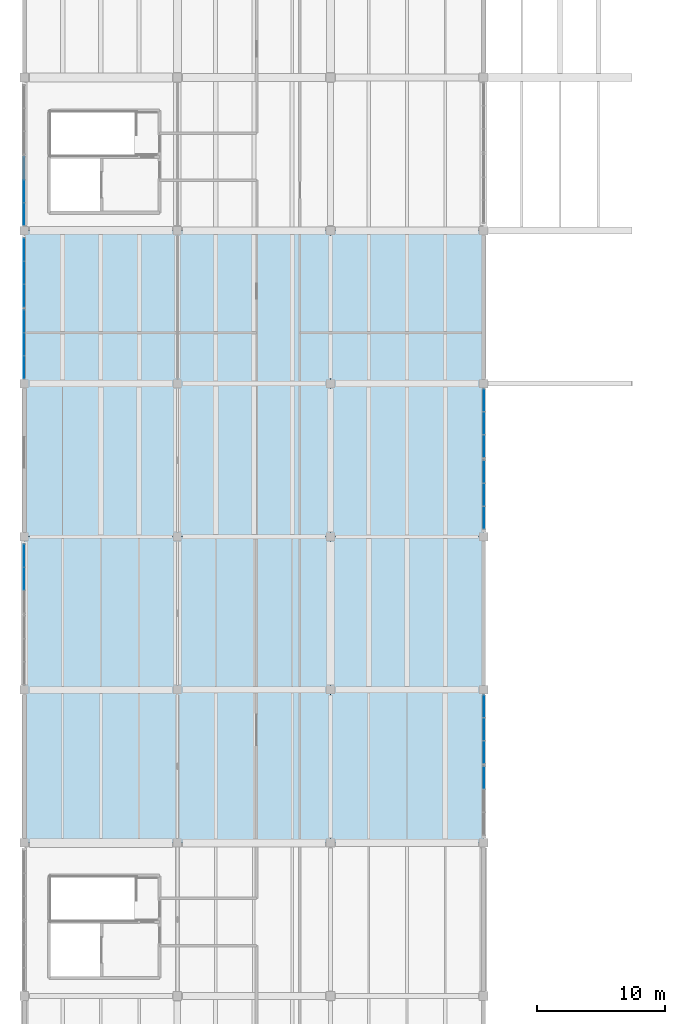
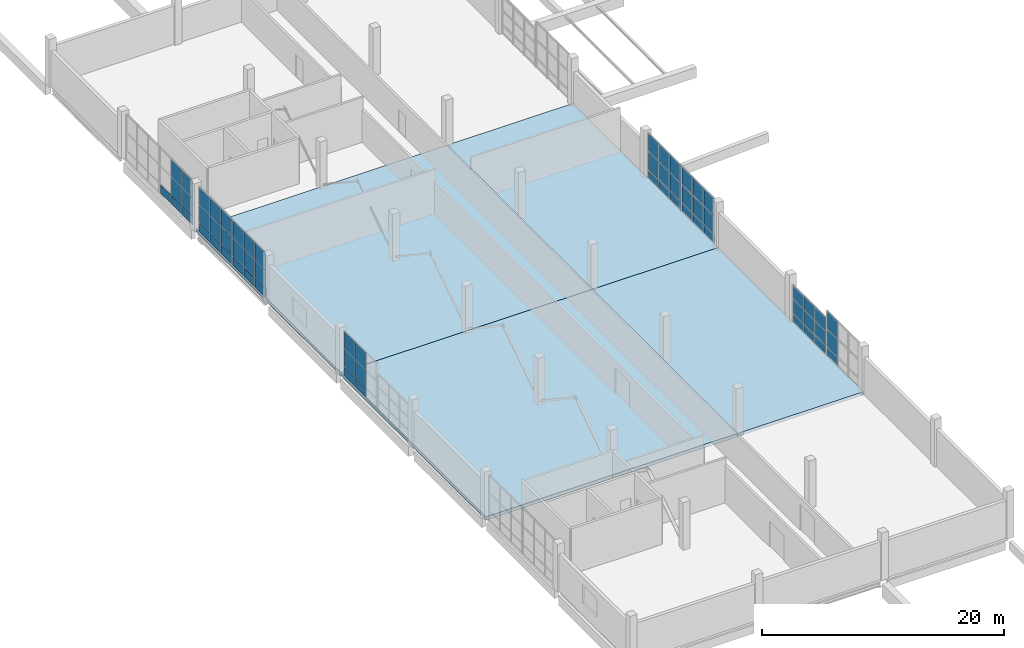
# One storey, part 28 of 49: 61 plates, 4 slabs, 8 elements without a shape of their own.
"""IFC4 building model written with IfcOpenShell, lengths in metres."""

from ifc_helpers import new_model, si_unit, direction, frame, origin, origin_2d, place, context, subcontext, project, spatial, polyline, rectangle, outline, extrude, material, layer, layer_set, type_object, element, aggregate, save


model = new_model("IFC4")

# Units and contexts
model_context = context("Model", 3, precision=1e-05, world=origin(), true_north=direction((0.0, 1.0)))
body_context = subcontext(model_context, "Body", "Model", "MODEL_VIEW")
ifc_project = project(units=[si_unit("LENGTHUNIT", "METRE"), si_unit("AREAUNIT", "SQUARE_METRE"), si_unit("VOLUMEUNIT", "CUBIC_METRE"), si_unit("PLANEANGLEUNIT", "RADIAN"), si_unit("MASSUNIT", "GRAM", prefix="KILO")], contexts=[model_context])

# Site, building, storey
site_placement = place(None, origin())
site = spatial("IfcSite", under=ifc_project, at=site_placement, CompositionType="ELEMENT")
building_placement = place(site_placement, origin())
building = spatial("IfcBuilding", under=site, at=building_placement, Name="Kamomehara Wholesale Market", CompositionType="ELEMENT")
storey_placement = place(building_placement, frame((0.0, 0.0, 11.39990234375)))
storey = spatial("IfcBuildingStorey", under=building, at=storey_placement, Name="L02", CompositionType="ELEMENT", Elevation=11.39990234375)

# Curtain wall, plates
ifc_material_1 = material(Name="Anodised aluminium 6063-T5", Category="aluminium")
curtain_wall_type_1 = type_object("IfcCurtainWallType", Name="CW-UN-10", PredefinedType="NOTDEFINED", material=ifc_material_1)
curtain_wall_1_placement = place(storey_placement, origin())
curtain_wall_1 = element("IfcCurtainWall", 1, at=curtain_wall_1_placement, inside=storey, type_object=curtain_wall_type_1, Name="Unitised curtain wall CW-004", PredefinedType="NOTDEFINED")
ifc_material_2 = material(Name="Solar-control Low-E double glazing", Category="glass")
ifc_layer_1 = layer(ifc_material_2, 0.028076171875)
ifc_layer_set_1 = layer_set([ifc_layer_1], Name="Solar-control Low-E double glazing")
plate_type_1 = type_object("IfcPlateType", Name="CW-PNL-GLZ", PredefinedType="CURTAIN_PANEL", material=ifc_layer_set_1)
plate_1_placement = place(storey_placement, frame((-0.02001953125, 92.699951171875, 0.9794921875), z_axis=(0.0, 0.0, 1.0), x_axis=(0.0, 1.0, 0.0)))
plate_1 = element("IfcPlate", 2, at=plate_1_placement, type_object=plate_type_1, Name="Curtain panel CW-004.1.1", PredefinedType="CURTAIN_PANEL", context=body_context, shape_type="SweptSolid", body=[
    extrude(rectangle(XDim=1.719970703125, YDim=0.028076171875, at=origin_2d()), origin(), (0.0, 0.0, 1.0), 1.764892578125),
])
plate_2_placement = place(storey_placement, frame((-0.02001953125, 92.699951171875, 2.8056640625), z_axis=(0.0, 0.0, 1.0), x_axis=(0.0, 1.0, 0.0)))
plate_2 = element("IfcPlate", 3, at=plate_2_placement, type_object=plate_type_1, Name="Curtain panel CW-004.1.2", PredefinedType="CURTAIN_PANEL", context=body_context, shape_type="SweptSolid", body=[
    extrude(rectangle(XDim=1.719970703125, YDim=0.028076171875, at=origin_2d()), origin(), (0.0, 0.0, 1.0), 1.72509765625),
])
plate_3_placement = place(storey_placement, frame((-0.02001953125, 94.5, 0.9794921875), z_axis=(0.0, 0.0, 1.0), x_axis=(0.0, 1.0, 0.0)))
plate_3 = element("IfcPlate", 4, at=plate_3_placement, type_object=plate_type_1, Name="Curtain panel CW-004.2.1", PredefinedType="CURTAIN_PANEL", context=body_context, shape_type="SweptSolid", body=[
    extrude(rectangle(XDim=1.719970703125, YDim=0.028076171875, at=origin_2d()), origin(), (0.0, 0.0, 1.0), 1.764892578125),
])
plate_4_placement = place(storey_placement, frame((-0.02001953125, 94.5, 2.8056640625), z_axis=(0.0, 0.0, 1.0), x_axis=(0.0, 1.0, 0.0)))
plate_4 = element("IfcPlate", 5, at=plate_4_placement, type_object=plate_type_1, Name="Curtain panel CW-004.2.2", PredefinedType="CURTAIN_PANEL", context=body_context, shape_type="SweptSolid", body=[
    extrude(rectangle(XDim=1.719970703125, YDim=0.028076171875, at=origin_2d()), origin(), (0.0, 0.0, 1.0), 1.72509765625),
])

curtain_wall_2_placement = place(storey_placement, origin())
curtain_wall_2 = element("IfcCurtainWall", 6, at=curtain_wall_2_placement, inside=storey, type_object=curtain_wall_type_1, Name="Unitised curtain wall CW-005", PredefinedType="NOTDEFINED")
plate_5_placement = place(storey_placement, frame((-0.02001953125, 109.300048828125, 0.9794921875), z_axis=(0.0, 0.0, 1.0), x_axis=(0.0, 1.0, 0.0)))
plate_5 = element("IfcPlate", 7, at=plate_5_placement, type_object=plate_type_1, Name="Curtain panel CW-005.0.1", PredefinedType="CURTAIN_PANEL", context=body_context, shape_type="SweptSolid", body=[
    extrude(rectangle(XDim=1.719970703125, YDim=0.028076171875, at=origin_2d()), origin(), (0.0, 0.0, 1.0), 1.764892578125),
])
plate_6_placement = place(storey_placement, frame((-0.02001953125, 109.300048828125, 2.8056640625), z_axis=(0.0, 0.0, 1.0), x_axis=(0.0, 1.0, 0.0)))
plate_6 = element("IfcPlate", 8, at=plate_6_placement, type_object=plate_type_1, Name="Curtain panel CW-005.0.2", PredefinedType="CURTAIN_PANEL", context=body_context, shape_type="SweptSolid", body=[
    extrude(rectangle(XDim=1.719970703125, YDim=0.028076171875, at=origin_2d()), origin(), (0.0, 0.0, 1.0), 1.72509765625),
])
plate_7_placement = place(storey_placement, frame((-0.02001953125, 111.10009765625, 0.9794921875), z_axis=(0.0, 0.0, 1.0), x_axis=(0.0, 1.0, 0.0)))
plate_7 = element("IfcPlate", 9, at=plate_7_placement, type_object=plate_type_1, Name="Curtain panel CW-005.1.1", PredefinedType="CURTAIN_PANEL", context=body_context, shape_type="SweptSolid", body=[
    extrude(rectangle(XDim=1.719970703125, YDim=0.028076171875, at=origin_2d()), origin(), (0.0, 0.0, 1.0), 1.764892578125),
])
plate_8_placement = place(storey_placement, frame((-0.02001953125, 111.10009765625, 2.8056640625), z_axis=(0.0, 0.0, 1.0), x_axis=(0.0, 1.0, 0.0)))
plate_8 = element("IfcPlate", 10, at=plate_8_placement, type_object=plate_type_1, Name="Curtain panel CW-005.1.2", PredefinedType="CURTAIN_PANEL", context=body_context, shape_type="SweptSolid", body=[
    extrude(rectangle(XDim=1.719970703125, YDim=0.028076171875, at=origin_2d()), origin(), (0.0, 0.0, 1.0), 1.72509765625),
])
plate_9_placement = place(storey_placement, frame((-0.02001953125, 112.89990234375, 0.9794921875), z_axis=(0.0, 0.0, 1.0), x_axis=(0.0, 1.0, 0.0)))
plate_9 = element("IfcPlate", 11, at=plate_9_placement, type_object=plate_type_1, Name="Curtain panel CW-005.2.1", PredefinedType="CURTAIN_PANEL", context=body_context, shape_type="SweptSolid", body=[
    extrude(rectangle(XDim=1.719970703125, YDim=0.028076171875, at=origin_2d()), origin(), (0.0, 0.0, 1.0), 1.764892578125),
])
plate_10_placement = place(storey_placement, frame((-0.02001953125, 112.89990234375, 2.8056640625), z_axis=(0.0, 0.0, 1.0), x_axis=(0.0, 1.0, 0.0)))
plate_10 = element("IfcPlate", 12, at=plate_10_placement, type_object=plate_type_1, Name="Curtain panel CW-005.2.2", PredefinedType="CURTAIN_PANEL", context=body_context, shape_type="SweptSolid", body=[
    extrude(rectangle(XDim=1.719970703125, YDim=0.028076171875, at=origin_2d()), origin(), (0.0, 0.0, 1.0), 1.72509765625),
])

curtain_wall_3_placement = place(storey_placement, origin())
curtain_wall_3 = element("IfcCurtainWall", 13, at=curtain_wall_3_placement, inside=storey, type_object=curtain_wall_type_1, Name="Unitised curtain wall CW-006", PredefinedType="NOTDEFINED")
plate_11_placement = place(storey_placement, frame((-0.02001953125, 114.89990234375, 0.9794921875), z_axis=(0.0, 0.0, 1.0), x_axis=(0.0, 1.0, 0.0)))
plate_11 = element("IfcPlate", 14, at=plate_11_placement, type_object=plate_type_1, Name="Curtain panel CW-006.0.1", PredefinedType="CURTAIN_PANEL", context=body_context, shape_type="SweptSolid", body=[
    extrude(rectangle(XDim=1.719970703125, YDim=0.028076171875, at=origin_2d()), origin(), (0.0, 0.0, 1.0), 1.764892578125),
])
plate_12_placement = place(storey_placement, frame((-0.02001953125, 114.89990234375, 2.8056640625), z_axis=(0.0, 0.0, 1.0), x_axis=(0.0, 1.0, 0.0)))
plate_12 = element("IfcPlate", 15, at=plate_12_placement, type_object=plate_type_1, Name="Curtain panel CW-006.0.2", PredefinedType="CURTAIN_PANEL", context=body_context, shape_type="SweptSolid", body=[
    extrude(rectangle(XDim=1.719970703125, YDim=0.028076171875, at=origin_2d()), origin(), (0.0, 0.0, 1.0), 1.72509765625),
])
plate_13_placement = place(storey_placement, frame((-0.02001953125, 116.699951171875, 0.9794921875), z_axis=(0.0, 0.0, 1.0), x_axis=(0.0, 1.0, 0.0)))
plate_13 = element("IfcPlate", 16, at=plate_13_placement, type_object=plate_type_1, Name="Curtain panel CW-006.1.1", PredefinedType="CURTAIN_PANEL", context=body_context, shape_type="SweptSolid", body=[
    extrude(rectangle(XDim=1.719970703125, YDim=0.028076171875, at=origin_2d()), origin(), (0.0, 0.0, 1.0), 1.764892578125),
])
plate_14_placement = place(storey_placement, frame((-0.02001953125, 116.699951171875, 2.8056640625), z_axis=(0.0, 0.0, 1.0), x_axis=(0.0, 1.0, 0.0)))
plate_14 = element("IfcPlate", 17, at=plate_14_placement, type_object=plate_type_1, Name="Curtain panel CW-006.1.2", PredefinedType="CURTAIN_PANEL", context=body_context, shape_type="SweptSolid", body=[
    extrude(rectangle(XDim=1.719970703125, YDim=0.028076171875, at=origin_2d()), origin(), (0.0, 0.0, 1.0), 1.72509765625),
])
plate_15_placement = place(storey_placement, frame((-0.02001953125, 118.5, 0.9794921875), z_axis=(0.0, 0.0, 1.0), x_axis=(0.0, 1.0, 0.0)))
plate_15 = element("IfcPlate", 18, at=plate_15_placement, type_object=plate_type_1, Name="Curtain panel CW-006.2.1", PredefinedType="CURTAIN_PANEL", context=body_context, shape_type="SweptSolid", body=[
    extrude(rectangle(XDim=1.719970703125, YDim=0.028076171875, at=origin_2d()), origin(), (0.0, 0.0, 1.0), 1.764892578125),
])
plate_16_placement = place(storey_placement, frame((-0.02001953125, 118.5, 2.8056640625), z_axis=(0.0, 0.0, 1.0), x_axis=(0.0, 1.0, 0.0)))
plate_16 = element("IfcPlate", 19, at=plate_16_placement, type_object=plate_type_1, Name="Curtain panel CW-006.2.2", PredefinedType="CURTAIN_PANEL", context=body_context, shape_type="SweptSolid", body=[
    extrude(rectangle(XDim=1.719970703125, YDim=0.028076171875, at=origin_2d()), origin(), (0.0, 0.0, 1.0), 1.72509765625),
])

curtain_wall_4_placement = place(storey_placement, origin())
curtain_wall_4 = element("IfcCurtainWall", 20, at=curtain_wall_4_placement, inside=storey, type_object=curtain_wall_type_1, Name="Unitised curtain wall CW-007", PredefinedType="NOTDEFINED")
plate_17_placement = place(storey_placement, frame((-0.02001953125, 121.300048828125, 0.9794921875), z_axis=(0.0, 0.0, 1.0), x_axis=(0.0, 1.0, 0.0)))
plate_17 = element("IfcPlate", 21, at=plate_17_placement, type_object=plate_type_1, Name="Curtain panel CW-007.0.1", PredefinedType="CURTAIN_PANEL", context=body_context, shape_type="SweptSolid", body=[
    extrude(rectangle(XDim=1.719970703125, YDim=0.028076171875, at=origin_2d()), origin(), (0.0, 0.0, 1.0), 1.764892578125),
])
plate_18_placement = place(storey_placement, frame((-0.02001953125, 121.300048828125, 2.8056640625), z_axis=(0.0, 0.0, 1.0), x_axis=(0.0, 1.0, 0.0)))
plate_18 = element("IfcPlate", 22, at=plate_18_placement, type_object=plate_type_1, Name="Curtain panel CW-007.0.2", PredefinedType="CURTAIN_PANEL", context=body_context, shape_type="SweptSolid", body=[
    extrude(rectangle(XDim=1.719970703125, YDim=0.028076171875, at=origin_2d()), origin(), (0.0, 0.0, 1.0), 1.72509765625),
])
plate_19_placement = place(storey_placement, frame((-0.02001953125, 123.10009765625, 0.9794921875), z_axis=(0.0, 0.0, 1.0), x_axis=(0.0, 1.0, 0.0)))
plate_19 = element("IfcPlate", 23, at=plate_19_placement, type_object=plate_type_1, Name="Curtain panel CW-007.1.1", PredefinedType="CURTAIN_PANEL", context=body_context, shape_type="SweptSolid", body=[
    extrude(rectangle(XDim=1.719970703125, YDim=0.028076171875, at=origin_2d()), origin(), (0.0, 0.0, 1.0), 1.764892578125),
])
plate_20_placement = place(storey_placement, frame((-0.02001953125, 123.10009765625, 2.8056640625), z_axis=(0.0, 0.0, 1.0), x_axis=(0.0, 1.0, 0.0)))
plate_20 = element("IfcPlate", 24, at=plate_20_placement, type_object=plate_type_1, Name="Curtain panel CW-007.1.2", PredefinedType="CURTAIN_PANEL", context=body_context, shape_type="SweptSolid", body=[
    extrude(rectangle(XDim=1.719970703125, YDim=0.028076171875, at=origin_2d()), origin(), (0.0, 0.0, 1.0), 1.72509765625),
])

ifc_material_3 = material(Name="Anodised aluminium 6063-T5", Category="aluminium")
curtain_wall_type_2 = type_object("IfcCurtainWallType", Name="CW-UN-07", PredefinedType="NOTDEFINED", material=ifc_material_3)
curtain_wall_5_placement = place(storey_placement, origin())
curtain_wall_5 = element("IfcCurtainWall", 25, at=curtain_wall_5_placement, inside=storey, type_object=curtain_wall_type_2, Name="Unitised curtain wall CW-009", PredefinedType="NOTDEFINED")
plate_21_placement = place(storey_placement, frame((36.02001953125, 82.699951171875, 0.93017578125), z_axis=(0.0, 0.0, 1.0), x_axis=(0.0, -1.0, 0.0)))
plate_21 = element("IfcPlate", 26, at=plate_21_placement, type_object=plate_type_1, Name="Curtain panel CW-009.0.1", PredefinedType="CURTAIN_PANEL", context=body_context, shape_type="SweptSolid", body=[
    extrude(rectangle(XDim=1.719970703125, YDim=0.028076171875, at=origin_2d()), origin(), (0.0, 0.0, 1.0), 1.3798828125),
])
plate_22_placement = place(storey_placement, frame((36.02001953125, 82.699951171875, 2.3701171875), z_axis=(0.0, 0.0, 1.0), x_axis=(0.0, -1.0, 0.0)))
plate_22 = element("IfcPlate", 27, at=plate_22_placement, type_object=plate_type_1, Name="Curtain panel CW-009.0.2", PredefinedType="CURTAIN_PANEL", context=body_context, shape_type="SweptSolid", body=[
    extrude(rectangle(XDim=1.719970703125, YDim=0.028076171875, at=origin_2d()), origin(), (0.0, 0.0, 1.0), 1.340087890625),
])
plate_23_placement = place(storey_placement, frame((36.02001953125, 80.89990234375, 0.93017578125), z_axis=(0.0, 0.0, 1.0), x_axis=(0.0, -1.0, 0.0)))
plate_23 = element("IfcPlate", 28, at=plate_23_placement, type_object=plate_type_1, Name="Curtain panel CW-009.1.1", PredefinedType="CURTAIN_PANEL", context=body_context, shape_type="SweptSolid", body=[
    extrude(rectangle(XDim=1.719970703125, YDim=0.028076171875, at=origin_2d()), origin(), (0.0, 0.0, 1.0), 1.3798828125),
])
plate_24_placement = place(storey_placement, frame((36.02001953125, 80.89990234375, 2.3701171875), z_axis=(0.0, 0.0, 1.0), x_axis=(0.0, -1.0, 0.0)))
plate_24 = element("IfcPlate", 29, at=plate_24_placement, type_object=plate_type_1, Name="Curtain panel CW-009.1.2", PredefinedType="CURTAIN_PANEL", context=body_context, shape_type="SweptSolid", body=[
    extrude(rectangle(XDim=1.719970703125, YDim=0.028076171875, at=origin_2d()), origin(), (0.0, 0.0, 1.0), 1.340087890625),
])
plate_25_placement = place(storey_placement, frame((36.02001953125, 79.10009765625, 0.93017578125), z_axis=(0.0, 0.0, 1.0), x_axis=(0.0, -1.0, 0.0)))
plate_25 = element("IfcPlate", 30, at=plate_25_placement, type_object=plate_type_1, Name="Curtain panel CW-009.2.1", PredefinedType="CURTAIN_PANEL", context=body_context, shape_type="SweptSolid", body=[
    extrude(rectangle(XDim=1.719970703125, YDim=0.028076171875, at=origin_2d()), origin(), (0.0, 0.0, 1.0), 1.3798828125),
])
plate_26_placement = place(storey_placement, frame((36.02001953125, 79.10009765625, 2.3701171875), z_axis=(0.0, 0.0, 1.0), x_axis=(0.0, -1.0, 0.0)))
plate_26 = element("IfcPlate", 31, at=plate_26_placement, type_object=plate_type_1, Name="Curtain panel CW-009.2.2", PredefinedType="CURTAIN_PANEL", context=body_context, shape_type="SweptSolid", body=[
    extrude(rectangle(XDim=1.719970703125, YDim=0.028076171875, at=origin_2d()), origin(), (0.0, 0.0, 1.0), 1.340087890625),
])

curtain_wall_6_placement = place(storey_placement, origin())
curtain_wall_6 = element("IfcCurtainWall", 32, at=curtain_wall_6_placement, inside=storey, type_object=curtain_wall_type_2, Name="Unitised curtain wall CW-010", PredefinedType="NOTDEFINED")
plate_27_placement = place(storey_placement, frame((36.02001953125, 77.10009765625, 0.93017578125), z_axis=(0.0, 0.0, 1.0), x_axis=(0.0, -1.0, 0.0)))
plate_27 = element("IfcPlate", 33, at=plate_27_placement, type_object=plate_type_1, Name="Curtain panel CW-010.0.1", PredefinedType="CURTAIN_PANEL", context=body_context, shape_type="SweptSolid", body=[
    extrude(rectangle(XDim=1.719970703125, YDim=0.028076171875, at=origin_2d()), origin(), (0.0, 0.0, 1.0), 1.7900390625),
])
plate_28_placement = place(storey_placement, frame((36.02001953125, 77.10009765625, 2.780029296875), z_axis=(0.0, 0.0, 1.0), x_axis=(0.0, -1.0, 0.0)))
plate_28 = element("IfcPlate", 34, at=plate_28_placement, type_object=plate_type_1, Name="Curtain panel CW-010.0.2", PredefinedType="CURTAIN_PANEL", context=body_context, shape_type="SweptSolid", body=[
    extrude(rectangle(XDim=1.719970703125, YDim=0.028076171875, at=origin_2d()), origin(), (0.0, 0.0, 1.0), 1.75),
])

curtain_wall_7_placement = place(storey_placement, origin())
curtain_wall_7 = element("IfcCurtainWall", 35, at=curtain_wall_7_placement, inside=storey, type_object=curtain_wall_type_2, Name="Unitised curtain wall CW-011", PredefinedType="NOTDEFINED")
plate_29_placement = place(storey_placement, frame((36.02001953125, 106.699951171875, 0.93017578125), z_axis=(0.0, 0.0, 1.0), x_axis=(0.0, -1.0, 0.0)))
plate_29 = element("IfcPlate", 36, at=plate_29_placement, type_object=plate_type_1, Name="Curtain panel CW-011.0.1", PredefinedType="CURTAIN_PANEL", context=body_context, shape_type="SweptSolid", body=[
    extrude(rectangle(XDim=1.719970703125, YDim=0.028076171875, at=origin_2d()), origin(), (0.0, 0.0, 1.0), 1.7900390625),
])
plate_30_placement = place(storey_placement, frame((36.02001953125, 106.699951171875, 2.780029296875), z_axis=(0.0, 0.0, 1.0), x_axis=(0.0, -1.0, 0.0)))
plate_30 = element("IfcPlate", 37, at=plate_30_placement, type_object=plate_type_1, Name="Curtain panel CW-011.0.2", PredefinedType="CURTAIN_PANEL", context=body_context, shape_type="SweptSolid", body=[
    extrude(rectangle(XDim=1.719970703125, YDim=0.028076171875, at=origin_2d()), origin(), (0.0, 0.0, 1.0), 1.75),
])
plate_31_placement = place(storey_placement, frame((36.02001953125, 104.89990234375, 0.93017578125), z_axis=(0.0, 0.0, 1.0), x_axis=(0.0, -1.0, 0.0)))
plate_31 = element("IfcPlate", 38, at=plate_31_placement, type_object=plate_type_1, Name="Curtain panel CW-011.1.1", PredefinedType="CURTAIN_PANEL", context=body_context, shape_type="SweptSolid", body=[
    extrude(rectangle(XDim=1.719970703125, YDim=0.028076171875, at=origin_2d()), origin(), (0.0, 0.0, 1.0), 1.7900390625),
])
plate_32_placement = place(storey_placement, frame((36.02001953125, 104.89990234375, 2.780029296875), z_axis=(0.0, 0.0, 1.0), x_axis=(0.0, -1.0, 0.0)))
plate_32 = element("IfcPlate", 39, at=plate_32_placement, type_object=plate_type_1, Name="Curtain panel CW-011.1.2", PredefinedType="CURTAIN_PANEL", context=body_context, shape_type="SweptSolid", body=[
    extrude(rectangle(XDim=1.719970703125, YDim=0.028076171875, at=origin_2d()), origin(), (0.0, 0.0, 1.0), 1.75),
])
plate_33_placement = place(storey_placement, frame((36.02001953125, 103.10009765625, 0.93017578125), z_axis=(0.0, 0.0, 1.0), x_axis=(0.0, -1.0, 0.0)))
plate_33 = element("IfcPlate", 40, at=plate_33_placement, type_object=plate_type_1, Name="Curtain panel CW-011.2.1", PredefinedType="CURTAIN_PANEL", context=body_context, shape_type="SweptSolid", body=[
    extrude(rectangle(XDim=1.719970703125, YDim=0.028076171875, at=origin_2d()), origin(), (0.0, 0.0, 1.0), 1.7900390625),
])
plate_34_placement = place(storey_placement, frame((36.02001953125, 103.10009765625, 2.780029296875), z_axis=(0.0, 0.0, 1.0), x_axis=(0.0, -1.0, 0.0)))
plate_34 = element("IfcPlate", 41, at=plate_34_placement, type_object=plate_type_1, Name="Curtain panel CW-011.2.2", PredefinedType="CURTAIN_PANEL", context=body_context, shape_type="SweptSolid", body=[
    extrude(rectangle(XDim=1.719970703125, YDim=0.028076171875, at=origin_2d()), origin(), (0.0, 0.0, 1.0), 1.75),
])

curtain_wall_8_placement = place(storey_placement, origin())
curtain_wall_8 = element("IfcCurtainWall", 42, at=curtain_wall_8_placement, inside=storey, type_object=curtain_wall_type_2, Name="Unitised curtain wall CW-012", PredefinedType="NOTDEFINED")
plate_35_placement = place(storey_placement, frame((36.02001953125, 101.10009765625, 0.93017578125), z_axis=(0.0, 0.0, 1.0), x_axis=(0.0, -1.0, 0.0)))
plate_35 = element("IfcPlate", 43, at=plate_35_placement, type_object=plate_type_1, Name="Curtain panel CW-012.0.1", PredefinedType="CURTAIN_PANEL", context=body_context, shape_type="SweptSolid", body=[
    extrude(rectangle(XDim=1.719970703125, YDim=0.028076171875, at=origin_2d()), origin(), (0.0, 0.0, 1.0), 1.7900390625),
])
plate_36_placement = place(storey_placement, frame((36.02001953125, 101.10009765625, 2.780029296875), z_axis=(0.0, 0.0, 1.0), x_axis=(0.0, -1.0, 0.0)))
plate_36 = element("IfcPlate", 44, at=plate_36_placement, type_object=plate_type_1, Name="Curtain panel CW-012.0.2", PredefinedType="CURTAIN_PANEL", context=body_context, shape_type="SweptSolid", body=[
    extrude(rectangle(XDim=1.719970703125, YDim=0.028076171875, at=origin_2d()), origin(), (0.0, 0.0, 1.0), 1.75),
])
plate_37_placement = place(storey_placement, frame((36.02001953125, 99.300048828125, 0.93017578125), z_axis=(0.0, 0.0, 1.0), x_axis=(0.0, -1.0, 0.0)))
plate_37 = element("IfcPlate", 45, at=plate_37_placement, type_object=plate_type_1, Name="Curtain panel CW-012.1.1", PredefinedType="CURTAIN_PANEL", context=body_context, shape_type="SweptSolid", body=[
    extrude(rectangle(XDim=1.719970703125, YDim=0.028076171875, at=origin_2d()), origin(), (0.0, 0.0, 1.0), 1.7900390625),
])
plate_38_placement = place(storey_placement, frame((36.02001953125, 99.300048828125, 2.780029296875), z_axis=(0.0, 0.0, 1.0), x_axis=(0.0, -1.0, 0.0)))
plate_38 = element("IfcPlate", 46, at=plate_38_placement, type_object=plate_type_1, Name="Curtain panel CW-012.1.2", PredefinedType="CURTAIN_PANEL", context=body_context, shape_type="SweptSolid", body=[
    extrude(rectangle(XDim=1.719970703125, YDim=0.028076171875, at=origin_2d()), origin(), (0.0, 0.0, 1.0), 1.75),
])
plate_39_placement = place(storey_placement, frame((36.02001953125, 97.5, 0.93017578125), z_axis=(0.0, 0.0, 1.0), x_axis=(0.0, -1.0, 0.0)))
plate_39 = element("IfcPlate", 47, at=plate_39_placement, type_object=plate_type_1, Name="Curtain panel CW-012.2.1", PredefinedType="CURTAIN_PANEL", context=body_context, shape_type="SweptSolid", body=[
    extrude(rectangle(XDim=1.719970703125, YDim=0.028076171875, at=origin_2d()), origin(), (0.0, 0.0, 1.0), 1.7900390625),
])
plate_40_placement = place(storey_placement, frame((36.02001953125, 97.5, 2.780029296875), z_axis=(0.0, 0.0, 1.0), x_axis=(0.0, -1.0, 0.0)))
plate_40 = element("IfcPlate", 48, at=plate_40_placement, type_object=plate_type_1, Name="Curtain panel CW-012.2.2", PredefinedType="CURTAIN_PANEL", context=body_context, shape_type="SweptSolid", body=[
    extrude(rectangle(XDim=1.719970703125, YDim=0.028076171875, at=origin_2d()), origin(), (0.0, 0.0, 1.0), 1.75),
])

# Plate
ifc_material_4 = material(Name="Insulated aluminium spandrel panel", Category="aluminium")
ifc_layer_2 = layer(ifc_material_4, 0.0400390625)
ifc_layer_set_2 = layer_set([ifc_layer_2], Name="Insulated aluminium spandrel panel")
plate_type_2 = type_object("IfcPlateType", Name="CW-PNL-SPN", PredefinedType="CURTAIN_PANEL", material=ifc_layer_set_2)
plate_41_placement = place(storey_placement, frame((-0.02001953125, 92.699951171875, 0.070068359375), z_axis=(0.0, 0.0, 1.0), x_axis=(0.0, 1.0, 0.0)))
plate_41 = element("IfcPlate", 49, at=plate_41_placement, type_object=plate_type_2, Name="Curtain panel CW-004.1.0", PredefinedType="CURTAIN_PANEL", context=body_context, shape_type="SweptSolid", body=[
    extrude(rectangle(XDim=1.719970703125, YDim=0.0400390625, at=origin_2d()), origin(), (0.0, 0.0, 1.0), 0.85009765625),
])

plate_42_placement = place(storey_placement, frame((-0.02001953125, 94.5, 0.070068359375), z_axis=(0.0, 0.0, 1.0), x_axis=(0.0, 1.0, 0.0)))
plate_42 = element("IfcPlate", 50, at=plate_42_placement, type_object=plate_type_2, Name="Curtain panel CW-004.2.0", PredefinedType="CURTAIN_PANEL", context=body_context, shape_type="SweptSolid", body=[
    extrude(rectangle(XDim=1.719970703125, YDim=0.0400390625, at=origin_2d()), origin(), (0.0, 0.0, 1.0), 0.85009765625),
])

aggregate(curtain_wall_1, [plate_41, plate_1, plate_2, plate_42, plate_3, plate_4])

plate_43_placement = place(storey_placement, frame((-0.02001953125, 109.300048828125, 0.070068359375), z_axis=(0.0, 0.0, 1.0), x_axis=(0.0, 1.0, 0.0)))
plate_43 = element("IfcPlate", 51, at=plate_43_placement, type_object=plate_type_2, Name="Curtain panel CW-005.0.0", PredefinedType="CURTAIN_PANEL", context=body_context, shape_type="SweptSolid", body=[
    extrude(rectangle(XDim=1.719970703125, YDim=0.0400390625, at=origin_2d()), origin(), (0.0, 0.0, 1.0), 0.85009765625),
])

plate_44_placement = place(storey_placement, frame((-0.02001953125, 111.10009765625, 0.070068359375), z_axis=(0.0, 0.0, 1.0), x_axis=(0.0, 1.0, 0.0)))
plate_44 = element("IfcPlate", 52, at=plate_44_placement, type_object=plate_type_2, Name="Curtain panel CW-005.1.0", PredefinedType="CURTAIN_PANEL", context=body_context, shape_type="SweptSolid", body=[
    extrude(rectangle(XDim=1.719970703125, YDim=0.0400390625, at=origin_2d()), origin(), (0.0, 0.0, 1.0), 0.85009765625),
])

plate_45_placement = place(storey_placement, frame((-0.02001953125, 112.89990234375, 0.070068359375), z_axis=(0.0, 0.0, 1.0), x_axis=(0.0, 1.0, 0.0)))
plate_45 = element("IfcPlate", 53, at=plate_45_placement, type_object=plate_type_2, Name="Curtain panel CW-005.2.0", PredefinedType="CURTAIN_PANEL", context=body_context, shape_type="SweptSolid", body=[
    extrude(rectangle(XDim=1.719970703125, YDim=0.0400390625, at=origin_2d()), origin(), (0.0, 0.0, 1.0), 0.85009765625),
])

aggregate(curtain_wall_2, [plate_43, plate_5, plate_6, plate_44, plate_7, plate_8, plate_45, plate_9, plate_10])

plate_46_placement = place(storey_placement, frame((-0.02001953125, 114.89990234375, 0.070068359375), z_axis=(0.0, 0.0, 1.0), x_axis=(0.0, 1.0, 0.0)))
plate_46 = element("IfcPlate", 54, at=plate_46_placement, type_object=plate_type_2, Name="Curtain panel CW-006.0.0", PredefinedType="CURTAIN_PANEL", context=body_context, shape_type="SweptSolid", body=[
    extrude(rectangle(XDim=1.719970703125, YDim=0.0400390625, at=origin_2d()), origin(), (0.0, 0.0, 1.0), 0.85009765625),
])

plate_47_placement = place(storey_placement, frame((-0.02001953125, 116.699951171875, 0.070068359375), z_axis=(0.0, 0.0, 1.0), x_axis=(0.0, 1.0, 0.0)))
plate_47 = element("IfcPlate", 55, at=plate_47_placement, type_object=plate_type_2, Name="Curtain panel CW-006.1.0", PredefinedType="CURTAIN_PANEL", context=body_context, shape_type="SweptSolid", body=[
    extrude(rectangle(XDim=1.719970703125, YDim=0.0400390625, at=origin_2d()), origin(), (0.0, 0.0, 1.0), 0.85009765625),
])

plate_48_placement = place(storey_placement, frame((-0.02001953125, 118.5, 0.070068359375), z_axis=(0.0, 0.0, 1.0), x_axis=(0.0, 1.0, 0.0)))
plate_48 = element("IfcPlate", 56, at=plate_48_placement, type_object=plate_type_2, Name="Curtain panel CW-006.2.0", PredefinedType="CURTAIN_PANEL", context=body_context, shape_type="SweptSolid", body=[
    extrude(rectangle(XDim=1.719970703125, YDim=0.0400390625, at=origin_2d()), origin(), (0.0, 0.0, 1.0), 0.85009765625),
])

aggregate(curtain_wall_3, [plate_46, plate_11, plate_12, plate_47, plate_13, plate_14, plate_48, plate_15, plate_16])

plate_49_placement = place(storey_placement, frame((-0.02001953125, 121.300048828125, 0.070068359375), z_axis=(0.0, 0.0, 1.0), x_axis=(0.0, 1.0, 0.0)))
plate_49 = element("IfcPlate", 57, at=plate_49_placement, type_object=plate_type_2, Name="Curtain panel CW-007.0.0", PredefinedType="CURTAIN_PANEL", context=body_context, shape_type="SweptSolid", body=[
    extrude(rectangle(XDim=1.719970703125, YDim=0.0400390625, at=origin_2d()), origin(), (0.0, 0.0, 1.0), 0.85009765625),
])

plate_50_placement = place(storey_placement, frame((-0.02001953125, 123.10009765625, 0.070068359375), z_axis=(0.0, 0.0, 1.0), x_axis=(0.0, 1.0, 0.0)))
plate_50 = element("IfcPlate", 58, at=plate_50_placement, type_object=plate_type_2, Name="Curtain panel CW-007.1.0", PredefinedType="CURTAIN_PANEL", context=body_context, shape_type="SweptSolid", body=[
    extrude(rectangle(XDim=1.719970703125, YDim=0.0400390625, at=origin_2d()), origin(), (0.0, 0.0, 1.0), 0.85009765625),
])

plate_51_placement = place(storey_placement, frame((-0.02001953125, 124.89990234375, 0.070068359375), z_axis=(0.0, 0.0, 1.0), x_axis=(0.0, 1.0, 0.0)))
plate_51 = element("IfcPlate", 59, at=plate_51_placement, type_object=plate_type_2, Name="Curtain panel CW-007.2.0", PredefinedType="CURTAIN_PANEL", context=body_context, shape_type="SweptSolid", body=[
    extrude(rectangle(XDim=1.719970703125, YDim=0.0400390625, at=origin_2d()), origin(), (0.0, 0.0, 1.0), 0.85009765625),
])

aggregate(curtain_wall_4, [plate_49, plate_17, plate_18, plate_50, plate_19, plate_20, plate_51])

plate_52_placement = place(storey_placement, frame((36.02001953125, 82.699951171875, 0.0703125), z_axis=(0.0, 0.0, 1.0), x_axis=(0.0, -1.0, 0.0)))
plate_52 = element("IfcPlate", 60, at=plate_52_placement, type_object=plate_type_2, Name="Curtain panel CW-009.0.0", PredefinedType="CURTAIN_PANEL", context=body_context, shape_type="SweptSolid", body=[
    extrude(rectangle(XDim=1.719970703125, YDim=0.0400390625, at=origin_2d()), origin(), (0.0, 0.0, 1.0), 0.800048828125),
])

plate_53_placement = place(storey_placement, frame((36.02001953125, 80.89990234375, 0.0703125), z_axis=(0.0, 0.0, 1.0), x_axis=(0.0, -1.0, 0.0)))
plate_53 = element("IfcPlate", 61, at=plate_53_placement, type_object=plate_type_2, Name="Curtain panel CW-009.1.0", PredefinedType="CURTAIN_PANEL", context=body_context, shape_type="SweptSolid", body=[
    extrude(rectangle(XDim=1.719970703125, YDim=0.0400390625, at=origin_2d()), origin(), (0.0, 0.0, 1.0), 0.800048828125),
])

plate_54_placement = place(storey_placement, frame((36.02001953125, 79.10009765625, 0.0703125), z_axis=(0.0, 0.0, 1.0), x_axis=(0.0, -1.0, 0.0)))
plate_54 = element("IfcPlate", 62, at=plate_54_placement, type_object=plate_type_2, Name="Curtain panel CW-009.2.0", PredefinedType="CURTAIN_PANEL", context=body_context, shape_type="SweptSolid", body=[
    extrude(rectangle(XDim=1.719970703125, YDim=0.0400390625, at=origin_2d()), origin(), (0.0, 0.0, 1.0), 0.800048828125),
])

aggregate(curtain_wall_5, [plate_52, plate_21, plate_22, plate_53, plate_23, plate_24, plate_54, plate_25, plate_26])

plate_55_placement = place(storey_placement, frame((36.02001953125, 77.10009765625, 0.0703125), z_axis=(0.0, 0.0, 1.0), x_axis=(0.0, -1.0, 0.0)))
plate_55 = element("IfcPlate", 63, at=plate_55_placement, type_object=plate_type_2, Name="Curtain panel CW-010.0.0", PredefinedType="CURTAIN_PANEL", context=body_context, shape_type="SweptSolid", body=[
    extrude(rectangle(XDim=1.719970703125, YDim=0.0400390625, at=origin_2d()), origin(), (0.0, 0.0, 1.0), 0.800048828125),
])

aggregate(curtain_wall_6, [plate_55, plate_27, plate_28])

plate_56_placement = place(storey_placement, frame((36.02001953125, 106.699951171875, 0.0703125), z_axis=(0.0, 0.0, 1.0), x_axis=(0.0, -1.0, 0.0)))
plate_56 = element("IfcPlate", 64, at=plate_56_placement, type_object=plate_type_2, Name="Curtain panel CW-011.0.0", PredefinedType="CURTAIN_PANEL", context=body_context, shape_type="SweptSolid", body=[
    extrude(rectangle(XDim=1.719970703125, YDim=0.0400390625, at=origin_2d()), origin(), (0.0, 0.0, 1.0), 0.800048828125),
])

plate_57_placement = place(storey_placement, frame((36.02001953125, 104.89990234375, 0.0703125), z_axis=(0.0, 0.0, 1.0), x_axis=(0.0, -1.0, 0.0)))
plate_57 = element("IfcPlate", 65, at=plate_57_placement, type_object=plate_type_2, Name="Curtain panel CW-011.1.0", PredefinedType="CURTAIN_PANEL", context=body_context, shape_type="SweptSolid", body=[
    extrude(rectangle(XDim=1.719970703125, YDim=0.0400390625, at=origin_2d()), origin(), (0.0, 0.0, 1.0), 0.800048828125),
])

plate_58_placement = place(storey_placement, frame((36.02001953125, 103.10009765625, 0.0703125), z_axis=(0.0, 0.0, 1.0), x_axis=(0.0, -1.0, 0.0)))
plate_58 = element("IfcPlate", 66, at=plate_58_placement, type_object=plate_type_2, Name="Curtain panel CW-011.2.0", PredefinedType="CURTAIN_PANEL", context=body_context, shape_type="SweptSolid", body=[
    extrude(rectangle(XDim=1.719970703125, YDim=0.0400390625, at=origin_2d()), origin(), (0.0, 0.0, 1.0), 0.800048828125),
])

aggregate(curtain_wall_7, [plate_56, plate_29, plate_30, plate_57, plate_31, plate_32, plate_58, plate_33, plate_34])

plate_59_placement = place(storey_placement, frame((36.02001953125, 101.10009765625, 0.0703125), z_axis=(0.0, 0.0, 1.0), x_axis=(0.0, -1.0, 0.0)))
plate_59 = element("IfcPlate", 67, at=plate_59_placement, type_object=plate_type_2, Name="Curtain panel CW-012.0.0", PredefinedType="CURTAIN_PANEL", context=body_context, shape_type="SweptSolid", body=[
    extrude(rectangle(XDim=1.719970703125, YDim=0.0400390625, at=origin_2d()), origin(), (0.0, 0.0, 1.0), 0.800048828125),
])

plate_60_placement = place(storey_placement, frame((36.02001953125, 99.300048828125, 0.0703125), z_axis=(0.0, 0.0, 1.0), x_axis=(0.0, -1.0, 0.0)))
plate_60 = element("IfcPlate", 68, at=plate_60_placement, type_object=plate_type_2, Name="Curtain panel CW-012.1.0", PredefinedType="CURTAIN_PANEL", context=body_context, shape_type="SweptSolid", body=[
    extrude(rectangle(XDim=1.719970703125, YDim=0.0400390625, at=origin_2d()), origin(), (0.0, 0.0, 1.0), 0.800048828125),
])

plate_61_placement = place(storey_placement, frame((36.02001953125, 97.5, 0.0703125), z_axis=(0.0, 0.0, 1.0), x_axis=(0.0, -1.0, 0.0)))
plate_61 = element("IfcPlate", 69, at=plate_61_placement, type_object=plate_type_2, Name="Curtain panel CW-012.2.0", PredefinedType="CURTAIN_PANEL", context=body_context, shape_type="SweptSolid", body=[
    extrude(rectangle(XDim=1.719970703125, YDim=0.0400390625, at=origin_2d()), origin(), (0.0, 0.0, 1.0), 0.800048828125),
])

aggregate(curtain_wall_8, [plate_59, plate_35, plate_36, plate_60, plate_37, plate_38, plate_61, plate_39, plate_40])

# Slabs
ifc_material_5 = material(Name="Concrete Fc36 (C35/45)", Category="concrete")
ifc_layer_3 = layer(ifc_material_5, 0.31005859375)
ifc_layer_set_3 = layer_set([ifc_layer_3], Name="Concrete Fc36 (C35/45)")
slab_type_1 = type_object("IfcSlabType", Name="SLB-FLR-220", PredefinedType="FLOOR", material=ifc_layer_set_3)
slab_1_placement = place(storey_placement, frame((0.0, 0.0, -0.309814453125)))
element("IfcSlab", 70, at=slab_1_placement, inside=storey, type_object=slab_type_1, Name="Floor slab V3 L02 115", PredefinedType="FLOOR", context=body_context, shape_type="SweptSolid", body=[
    extrude(outline(polyline([(36.0, 72.0), (24.0, 72.0), (24.0, 96.0), (36.0, 96.0), (36.0, 72.0)])), origin(), (0.0, 0.0, 1.0), 0.309814453125),
])
ifc_material_6 = material(Name="Concrete Fc36 (C35/45)", Category="concrete")
ifc_layer_4 = layer(ifc_material_6, 0.330078125)
ifc_layer_set_4 = layer_set([ifc_layer_4], Name="Concrete Fc36 (C35/45)")
slab_type_2 = type_object("IfcSlabType", Name="SLB-FLR-260", PredefinedType="FLOOR", material=ifc_layer_set_4)
slab_2_placement = place(storey_placement, frame((0.0, 0.0, -0.329833984375)))
element("IfcSlab", 71, at=slab_2_placement, inside=storey, type_object=slab_type_2, Name="Floor slab V3 L02 112", PredefinedType="FLOOR", context=body_context, shape_type="SweptSolid", body=[
    extrude(outline(polyline([(24.0, 120.0), (24.0, 96.0), (0.0, 96.0), (0.0, 120.0), (24.0, 120.0)])), origin(), (0.0, 0.0, 1.0), 0.329833984375),
])
ifc_material_7 = material(Name="Concrete Fc36 (C35/45)", Category="concrete")
ifc_layer_5 = layer(ifc_material_7, 0.340087890625)
ifc_layer_set_5 = layer_set([ifc_layer_5], Name="Concrete Fc36 (C35/45)")
slab_type_3 = type_object("IfcSlabType", Name="SLB-FLR-280", PredefinedType="FLOOR", material=ifc_layer_set_5)
slab_3_placement = place(storey_placement, frame((0.0, 0.0, -0.33984375)))
element("IfcSlab", 72, at=slab_3_placement, inside=storey, type_object=slab_type_3, Name="Floor slab V3 L02 111", PredefinedType="FLOOR", context=body_context, shape_type="SweptSolid", body=[
    extrude(outline(polyline([(24.0, 96.0), (24.0, 72.0), (0.0, 72.0), (0.0, 96.0), (24.0, 96.0)])), origin(), (0.0, 0.0, 1.0), 0.33984375),
])
slab_4_placement = place(storey_placement, frame((0.0, 0.0, -0.33984375)))
element("IfcSlab", 73, at=slab_4_placement, inside=storey, type_object=slab_type_3, Name="Floor slab V3 L02 116", PredefinedType="FLOOR", context=body_context, shape_type="SweptSolid", body=[
    extrude(outline(polyline([(36.0, 96.0), (24.0, 96.0), (24.0, 120.0), (36.0, 120.0), (36.0, 96.0)])), origin(), (0.0, 0.0, 1.0), 0.33984375),
])

save(model, "model.ifc")
